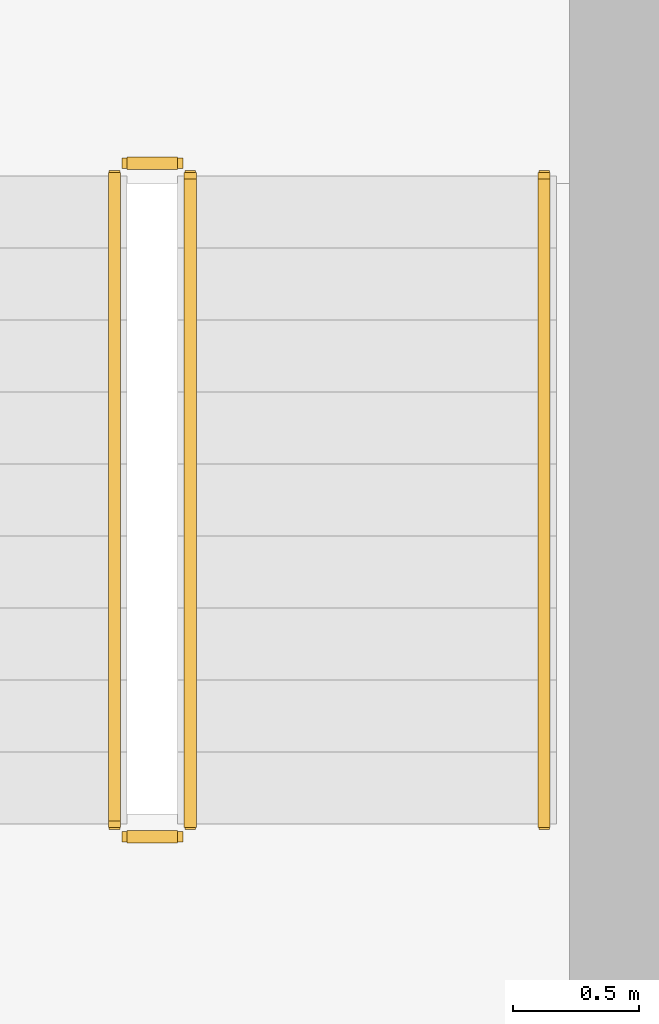
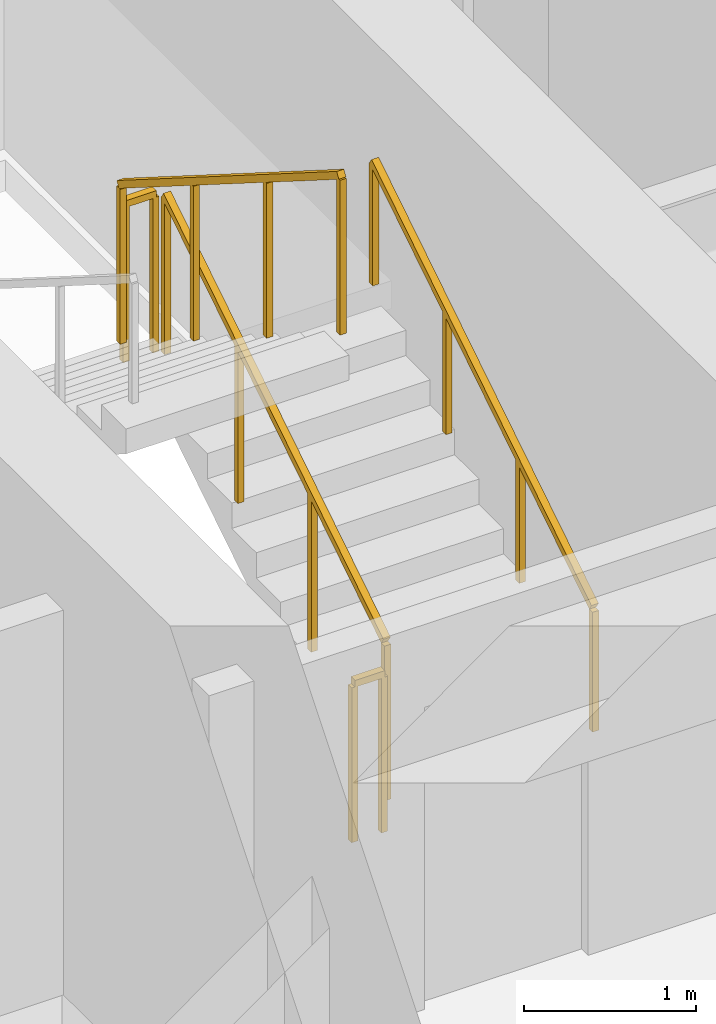
# One storey, part 30 of 30: 5 railings.
"""IFC4 building model written with IfcOpenShell, lengths in metres."""

from ifc_helpers import new_model, si_unit, direction, frame, origin, origin_2d, place, context, subcontext, project, spatial, rectangle, extrude, material, type_object, element, save


model = new_model("IFC4")

# Units and contexts
model_context = context("Model", 3, precision=1e-05, world=origin(), true_north=direction((0.0, 1.0)))
body_context = subcontext(model_context, "Body", "Model", "MODEL_VIEW")
ifc_project = project(units=[si_unit("LENGTHUNIT", "METRE"), si_unit("AREAUNIT", "SQUARE_METRE"), si_unit("VOLUMEUNIT", "CUBIC_METRE"), si_unit("PLANEANGLEUNIT", "RADIAN"), si_unit("MASSUNIT", "GRAM", prefix="KILO")], contexts=[model_context])

# Site, building, storey
site_placement = place(None, origin())
site = spatial("IfcSite", under=ifc_project, at=site_placement, CompositionType="ELEMENT")
building_placement = place(site_placement, origin())
building = spatial("IfcBuilding", under=site, at=building_placement, Name="Sarneth Arch Tower", CompositionType="ELEMENT")
storey_placement = place(building_placement, frame((0.0, 0.0, 28.199951171875)))
storey = spatial("IfcBuildingStorey", under=building, at=storey_placement, Name="L05", CompositionType="ELEMENT", Elevation=28.199951171875)

# Railings
ifc_material_1 = material(Name="Brushed Stainless Steel 304 tubular handrail", Category="steel")
railing_type_1 = type_object("IfcRailingType", Name="RAIL-HANDRAIL-900", PredefinedType="HANDRAIL", material=ifc_material_1)
railing_1_placement = place(storey_placement, frame((58.60009765625, 41.449951171875, 0.179931640625)))
element("IfcRailing", 1, at=railing_1_placement, inside=storey, type_object=railing_type_1, Name="L05 ST-2 stair handrail 1", PredefinedType="HANDRAIL", context=body_context, shape_type="SweptSolid", body=[
    extrude(rectangle(XDim=0.048095703125, YDim=0.048095703125, at=origin_2d()), frame((0.0, 0.0, 0.8759765625), z_axis=(0.0, 0.845465955043, 0.534029323973), x_axis=(-1.0, 0.0, 0.0)), (0.0, 0.0, 1.0), 3.03369140625),
    extrude(rectangle(XDim=0.0419921875, YDim=0.0419921875, at=origin_2d()), origin(), (0.0, 0.0, 1.0), 0.851806640625),
    extrude(rectangle(XDim=0.0419921875, YDim=0.0419921875, at=origin_2d()), frame((0.0, 0.85498046875, 0.5400390625)), (0.0, 0.0, 1.0), 0.851806640625),
    extrude(rectangle(XDim=0.0419921875, YDim=0.0419921875, at=origin_2d()), frame((0.0, 1.7099609375, 1.080078125)), (0.0, 0.0, 1.0), 0.851806640625),
    extrude(rectangle(XDim=0.0419921875, YDim=0.0419921875, at=origin_2d()), frame((0.0, 2.56494140625, 1.6201171875)), (0.0, 0.0, 1.0), 0.851806640625),
])
ifc_material_2 = material(Name="Painted Steel S275 stair well guard", Category="steel")
railing_type_2 = type_object("IfcRailingType", Name="RAIL-STAIR-GUARD", PredefinedType="GUARDRAIL", material=ifc_material_2)
railing_2_placement = place(storey_placement, frame((57.199951171875, 41.449951171875, 0.179931640625)))
element("IfcRailing", 2, at=railing_2_placement, inside=storey, type_object=railing_type_2, Name="L05 ST-2 stair guard 1", PredefinedType="GUARDRAIL", context=body_context, shape_type="SweptSolid", body=[
    extrude(rectangle(XDim=0.048095703125, YDim=0.048095703125, at=origin_2d()), frame((0.0, 0.0, 1.1259765625), z_axis=(0.0, 0.845465955043, 0.534029323973), x_axis=(-1.0, 0.0, 0.0)), (0.0, 0.0, 1.0), 3.03369140625),
    extrude(rectangle(XDim=0.0419921875, YDim=0.0419921875, at=origin_2d()), origin(), (0.0, 0.0, 1.0), 1.101806640625),
    extrude(rectangle(XDim=0.0419921875, YDim=0.0419921875, at=origin_2d()), frame((0.0, 0.85498046875, 0.5400390625)), (0.0, 0.0, 1.0), 1.101806640625),
    extrude(rectangle(XDim=0.0419921875, YDim=0.0419921875, at=origin_2d()), frame((0.0, 1.7099609375, 1.080078125)), (0.0, 0.0, 1.0), 1.101806640625),
    extrude(rectangle(XDim=0.0419921875, YDim=0.0419921875, at=origin_2d()), frame((0.0, 2.56494140625, 1.6201171875)), (0.0, 0.0, 1.0), 1.101806640625),
])
railing_3_placement = place(storey_placement, frame((57.14990234375, 44.06494140625, 1.800048828125)))
element("IfcRailing", 3, at=railing_3_placement, inside=storey, type_object=railing_type_2, Name="L05 ST-2 stair guard 2", PredefinedType="GUARDRAIL", context=body_context, shape_type="SweptSolid", body=[
    extrude(rectangle(XDim=0.048095703125, YDim=0.048095703125, at=origin_2d()), frame((0.0, 0.0, 1.1259765625), z_axis=(-1.0, 0.0, 0.0), x_axis=(0.0, -1.0, 0.0)), (0.0, 0.0, 1.0), 0.199951171875),
    extrude(rectangle(XDim=0.0419921875, YDim=0.0419921875, at=origin_2d()), origin(), (0.0, 0.0, 1.0), 1.101806640625),
    extrude(rectangle(XDim=0.0419921875, YDim=0.0419921875, at=origin_2d()), frame((-0.199951171875, 0.0, 0.0)), (0.0, 0.0, 1.0), 1.101806640625),
])
railing_4_placement = place(storey_placement, frame((56.89990234375, 44.014892578125, 1.97998046875)))
element("IfcRailing", 4, at=railing_4_placement, inside=storey, type_object=railing_type_2, Name="L05 ST-2 stair guard 3", PredefinedType="GUARDRAIL", context=body_context, shape_type="SweptSolid", body=[
    extrude(rectangle(XDim=0.048095703125, YDim=0.048095703125, at=origin_2d()), frame((0.0, 0.0, 1.1259765625), z_axis=(0.0, -0.845465955043, 0.534029323973), x_axis=(1.0, 0.0, 0.0)), (0.0, 0.0, 1.0), 3.03369140625),
    extrude(rectangle(XDim=0.0419921875, YDim=0.0419921875, at=origin_2d()), origin(), (0.0, 0.0, 1.0), 1.101806640625),
    extrude(rectangle(XDim=0.0419921875, YDim=0.0419921875, at=origin_2d()), frame((0.0, -0.85498046875, 0.5400390625)), (0.0, 0.0, 1.0), 1.101806640625),
    extrude(rectangle(XDim=0.0419921875, YDim=0.0419921875, at=origin_2d()), frame((0.0, -1.7099609375, 1.080078125)), (0.0, 0.0, 1.0), 1.101806640625),
    extrude(rectangle(XDim=0.0419921875, YDim=0.0419921875, at=origin_2d()), frame((0.0, -2.56494140625, 1.6201171875)), (0.0, 0.0, 1.0), 1.101806640625),
])
railing_5_placement = place(storey_placement, frame((57.14990234375, 41.39990234375, 0.0)))
element("IfcRailing", 5, at=railing_5_placement, inside=storey, type_object=railing_type_2, Name="L05 ST-2 stair guard 4", PredefinedType="GUARDRAIL", context=body_context, shape_type="SweptSolid", body=[
    extrude(rectangle(XDim=0.048095703125, YDim=0.048095703125, at=origin_2d()), frame((0.0, 0.0, 1.1259765625), z_axis=(-1.0, 0.0, 0.0), x_axis=(0.0, -1.0, 0.0)), (0.0, 0.0, 1.0), 0.199951171875),
    extrude(rectangle(XDim=0.0419921875, YDim=0.0419921875, at=origin_2d()), origin(), (0.0, 0.0, 1.0), 1.101806640625),
    extrude(rectangle(XDim=0.0419921875, YDim=0.0419921875, at=origin_2d()), frame((-0.199951171875, 0.0, 0.0)), (0.0, 0.0, 1.0), 1.101806640625),
])

save(model, "model.ifc")
